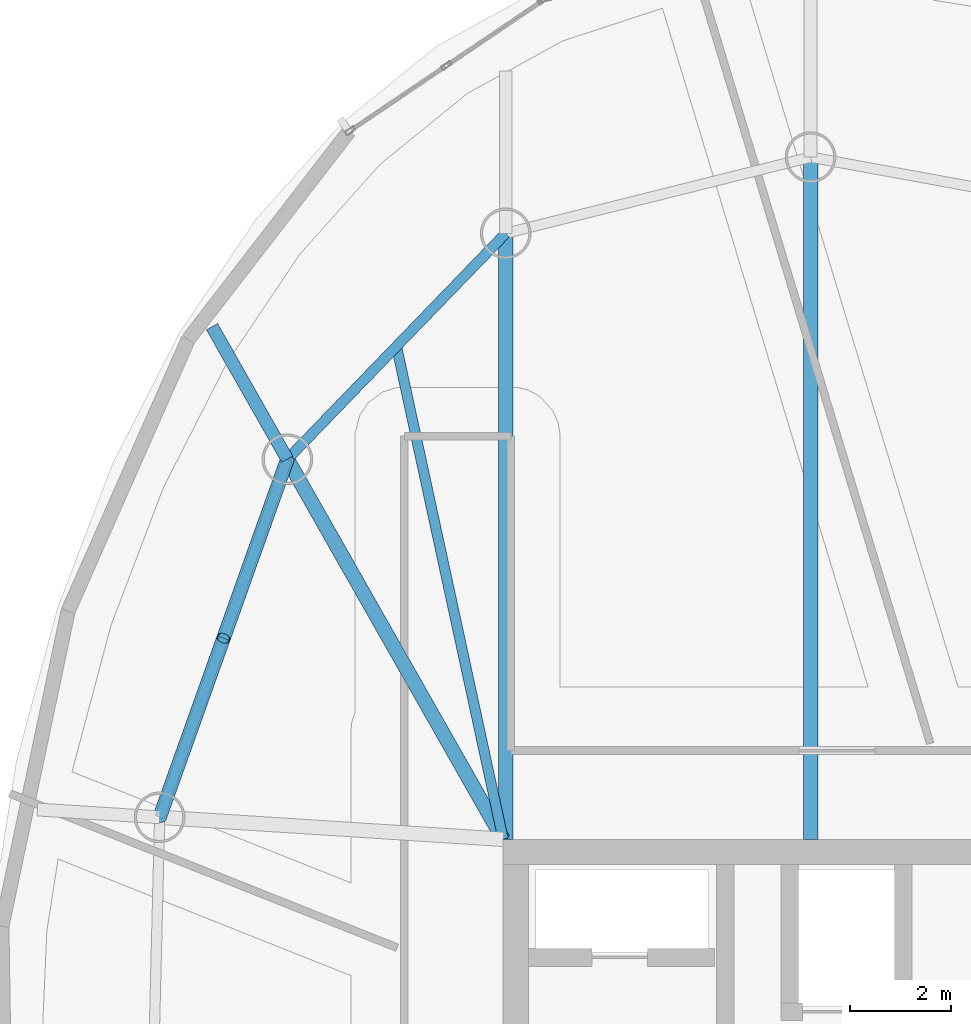
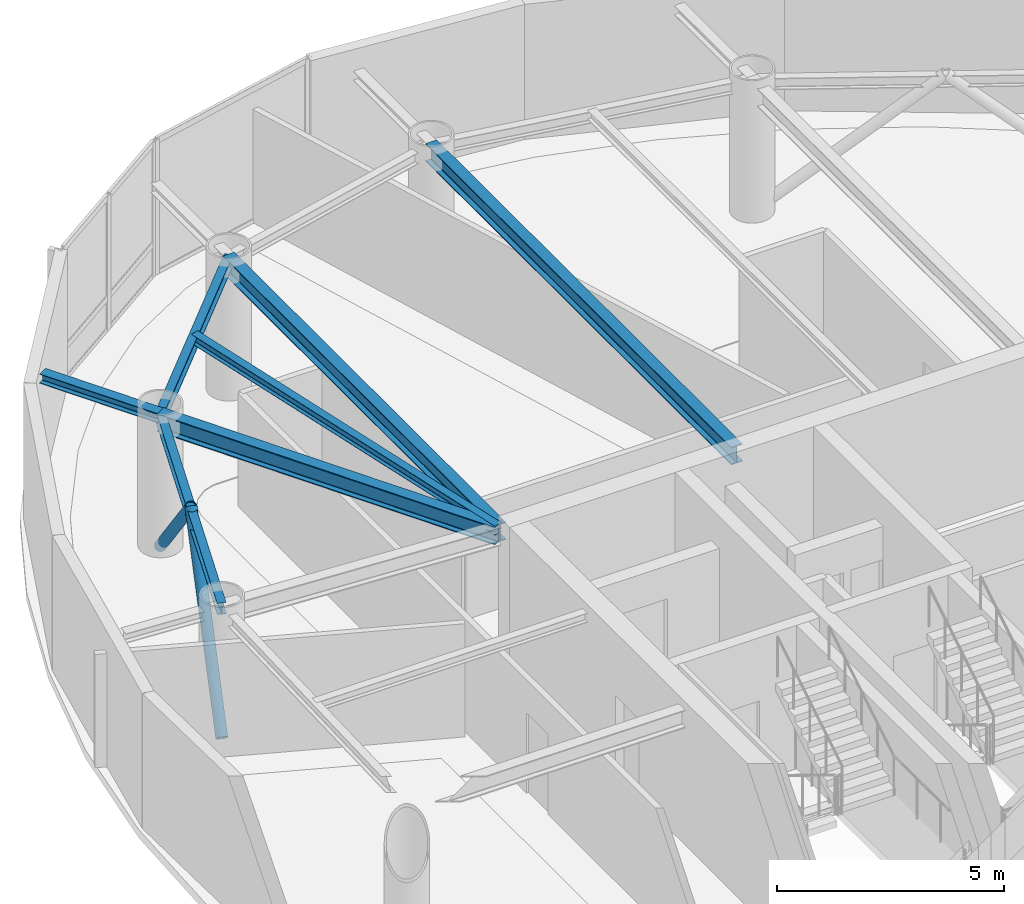
# One storey, part 10 of 19: 7 beams, 2 members.
"""IFC4 building model written with IfcOpenShell, lengths in metres."""

from ifc_helpers import new_model, si_unit, direction, frame, origin, origin_2d, place, context, subcontext, project, spatial, hollow_circle, i_section, extrude, material, material_profile, profile_set, type_object, element, save


model = new_model("IFC4")

# Units and contexts
model_context = context("Model", 3, precision=1e-05, world=origin(), true_north=direction((0.0, 1.0)))
body_context = subcontext(model_context, "Body", "Model", "MODEL_VIEW")
ifc_project = project(units=[si_unit("LENGTHUNIT", "METRE"), si_unit("AREAUNIT", "SQUARE_METRE"), si_unit("VOLUMEUNIT", "CUBIC_METRE"), si_unit("PLANEANGLEUNIT", "RADIAN"), si_unit("MASSUNIT", "GRAM", prefix="KILO")], contexts=[model_context])

# Site, building, storey
site_placement = place(None, origin())
site = spatial("IfcSite", under=ifc_project, at=site_placement, CompositionType="ELEMENT")
building_placement = place(site_placement, origin())
building = spatial("IfcBuilding", under=site, at=building_placement, Name="Bramvorn Convention Spire", CompositionType="ELEMENT")
storey_placement = place(building_placement, frame((0.0, 0.0, 299.800048828125)))
storey = spatial("IfcBuildingStorey", under=building, at=storey_placement, Name="L76", CompositionType="ELEMENT", Elevation=299.800048828125)

# Beams
ifc_material = material(Name="Steel CSA G40.21 Grade 350 (350W)", Category="steel")
ifc_material_profile_1 = material_profile(ifc_material, i_section(OverallWidth=0.201904296875, OverallDepth=0.2470703125, WebThickness=0.00732421875, FlangeThickness=0.010986328125, FilletRadius=0.011962890625, at=origin_2d()))
ifc_profile_set_1 = profile_set([ifc_material_profile_1], Name="Steel CSA G40.21 Grade 350 (350W) - W250X49")
beam_type_1 = type_object("IfcBeamType", Name="BM-W250X49", PredefinedType="JOIST", material=ifc_profile_set_1)
beam_1_placement = place(storey_placement, frame((26.75, 33.449951171875, 3.50146484375), z_axis=(-0.211461445939, 0.977386339623, 0.0), x_axis=(-0.977386339623, -0.211461445939, 0.0)))
element("IfcBeam", 1, at=beam_1_placement, inside=storey, type_object=beam_type_1, Name="L76 composite floor joist 09", PredefinedType="JOIST", context=body_context, shape_type="SweptSolid", body=[
    extrude(i_section(OverallWidth=0.201904296875, OverallDepth=0.2470703125, WebThickness=0.00732421875, FlangeThickness=0.010986328125, FilletRadius=0.011962890625, at=origin_2d()), origin(), (0.0, 0.0, 1.0), 9.9462890625),
])
ifc_material_profile_2 = material_profile(ifc_material, i_section(OverallWidth=0.25390625, OverallDepth=0.2529296875, WebThickness=0.008544921875, FlangeThickness=0.01416015625, FilletRadius=0.011962890625, at=origin_2d()))
ifc_profile_set_2 = profile_set([ifc_material_profile_2], Name="Steel CSA G40.21 Grade 350 (350W) - W250X73")
beam_type_2 = type_object("IfcBeamType", Name="BM-W250X73", PredefinedType="BEAM", material=ifc_profile_set_2)
beam_2_placement = place(storey_placement, frame((22.49365234375, 40.94384765625, 3.49853515625), z_axis=(-0.493881048976, 0.869529475902, 0.0), x_axis=(-0.869529475902, -0.493881048976, 0.0)))
element("IfcBeam", 2, at=beam_2_placement, inside=storey, type_object=beam_type_2, Name="L76 slab-edge cantilever tip beam MC10", PredefinedType="BEAM", context=body_context, shape_type="SweptSolid", body=[
    extrude(i_section(OverallWidth=0.25390625, OverallDepth=0.2529296875, WebThickness=0.008544921875, FlangeThickness=0.01416015625, FilletRadius=0.011962890625, at=origin_2d()), origin(), (0.0, 0.0, 1.0), 3.006591796875),
])
ifc_material_profile_3 = material_profile(ifc_material, i_section(OverallWidth=0.202880859375, OverallDepth=0.302978515625, WebThickness=0.007568359375, FlangeThickness=0.01318359375, FilletRadius=0.013916015625, at=origin_2d()))
ifc_profile_set_3 = profile_set([ifc_material_profile_3], Name="Steel CSA G40.21 Grade 350 (350W) - W310X60")
beam_type_3 = type_object("IfcBeamType", Name="BM-W310X60", PredefinedType="JOIST", material=ifc_profile_set_3)
beam_3_placement = place(storey_placement, frame((26.800048828125, 45.39892578125, 3.473388671875), z_axis=(-0.695007159797, -0.719002814898, 0.0), x_axis=(0.719002814898, -0.695007159797, 0.0)))
element("IfcBeam", 3, at=beam_3_placement, inside=storey, type_object=beam_type_3, Name="L76 mega-column ring beam 09", PredefinedType="JOIST", context=body_context, shape_type="SweptSolid", body=[
    extrude(i_section(OverallWidth=0.202880859375, OverallDepth=0.302978515625, WebThickness=0.007568359375, FlangeThickness=0.01318359375, FilletRadius=0.013916015625, at=origin_2d()), origin(), (0.0, 0.0, 1.0), 6.1962890625),
])
beam_4_placement = place(storey_placement, frame((22.49365234375, 40.94384765625, 3.473388671875), z_axis=(-0.335839090413, -0.941919373063, 0.0), x_axis=(0.941919373063, -0.335839090413, 0.0)))
element("IfcBeam", 4, at=beam_4_placement, inside=storey, type_object=beam_type_3, Name="L76 mega-column ring beam 10", PredefinedType="JOIST", context=body_context, shape_type="SweptSolid", body=[
    extrude(i_section(OverallWidth=0.202880859375, OverallDepth=0.302978515625, WebThickness=0.007568359375, FlangeThickness=0.01318359375, FilletRadius=0.013916015625, at=origin_2d()), origin(), (0.0, 0.0, 1.0), 7.49560546875),
])
ifc_material_profile_4 = material_profile(ifc_material, i_section(OverallWidth=0.283935546875, OverallDepth=0.47607421875, WebThickness=0.014892578125, FlangeThickness=0.02392578125, FilletRadius=0.01806640625, at=origin_2d()))
ifc_profile_set_4 = profile_set([ifc_material_profile_4], Name="Steel CSA G40.21 Grade 350 (350W) - W460X158")
beam_type_4 = type_object("IfcBeamType", Name="BM-W460X158", PredefinedType="SPANDREL", material=ifc_profile_set_4)
beam_5_placement = place(storey_placement, frame((32.8115234375, 33.449951171875, 3.386962890625), z_axis=(0.0, 1.0, 0.0), x_axis=(-1.0, 0.0, 0.0)))
element("IfcBeam", 5, at=beam_5_placement, inside=storey, type_object=beam_type_4, Name="L76 radial floor girder MC08", PredefinedType="SPANDREL", context=body_context, shape_type="SweptSolid", body=[
    extrude(i_section(OverallWidth=0.283935546875, OverallDepth=0.47607421875, WebThickness=0.014892578125, FlangeThickness=0.02392578125, FilletRadius=0.01806640625, at=origin_2d()), origin(), (0.0, 0.0, 1.0), 13.450927734375),
])
beam_6_placement = place(storey_placement, frame((26.800048828125, 33.449951171875, 3.386962890625), z_axis=(0.0, 1.0, 0.0), x_axis=(-1.0, 0.0, 0.0)))
element("IfcBeam", 6, at=beam_6_placement, inside=storey, type_object=beam_type_4, Name="L76 radial floor girder MC09", PredefinedType="SPANDREL", context=body_context, shape_type="SweptSolid", body=[
    extrude(i_section(OverallWidth=0.283935546875, OverallDepth=0.47607421875, WebThickness=0.014892578125, FlangeThickness=0.02392578125, FilletRadius=0.01806640625, at=origin_2d()), origin(), (0.0, 0.0, 1.0), 11.948974609375),
])
beam_7_placement = place(storey_placement, frame((26.75, 33.449951171875, 3.386962890625), z_axis=(-0.493873612118, 0.869533699895, 0.0), x_axis=(-0.869533699895, -0.493873612118, 0.0)))
element("IfcBeam", 7, at=beam_7_placement, inside=storey, type_object=beam_type_4, Name="L76 radial floor girder MC10", PredefinedType="SPANDREL", context=body_context, shape_type="SweptSolid", body=[
    extrude(i_section(OverallWidth=0.283935546875, OverallDepth=0.47607421875, WebThickness=0.014892578125, FlangeThickness=0.02392578125, FilletRadius=0.01806640625, at=origin_2d()), origin(), (0.0, 0.0, 1.0), 8.618408203125),
])

# Members
ifc_material_profile_5 = material_profile(ifc_material, hollow_circle(Radius=0.136474609375, WallThickness=0.0126953125, at=origin_2d()))
ifc_profile_set_5 = profile_set([ifc_material_profile_5], Name="Steel CSA G40.21 Grade 350 (350W) - CHS273X13")
member_type = type_object("IfcMemberType", Name="MBR-CHS273X13", PredefinedType="BRACE", material=ifc_profile_set_5)
member_1_placement = place(storey_placement, frame((22.49365234375, 40.94384765625, 0.0), z_axis=(-0.241415019829, -0.677048329465, 0.695215324751), x_axis=(0.941912743486, -0.335857683639, 0.0)))
element("IfcMember", 8, at=member_1_placement, inside=storey, type_object=member_type, Name="L76 perimeter Gothic lancet brace 10A", PredefinedType="BRACE", context=body_context, shape_type="SweptSolid", body=[
    extrude(hollow_circle(Radius=0.136474609375, WallThickness=0.0126953125, at=origin_2d()), origin(), (0.0, 0.0, 1.0), 5.214111328125),
])
member_2_placement = place(storey_placement, frame((19.976318359375, 33.883544921875, 0.0), z_axis=(0.241378577718, 0.677030621771, 0.695245222495), x_axis=(-0.941926002824, 0.335820495509, 0.0)))
element("IfcMember", 9, at=member_2_placement, inside=storey, type_object=member_type, Name="L76 perimeter Gothic lancet brace 10B", PredefinedType="BRACE", context=body_context, shape_type="SweptSolid", body=[
    extrude(hollow_circle(Radius=0.136474609375, WallThickness=0.0126953125, at=origin_2d()), origin(), (0.0, 0.0, 1.0), 5.2138671875),
])

save(model, "model.ifc")
